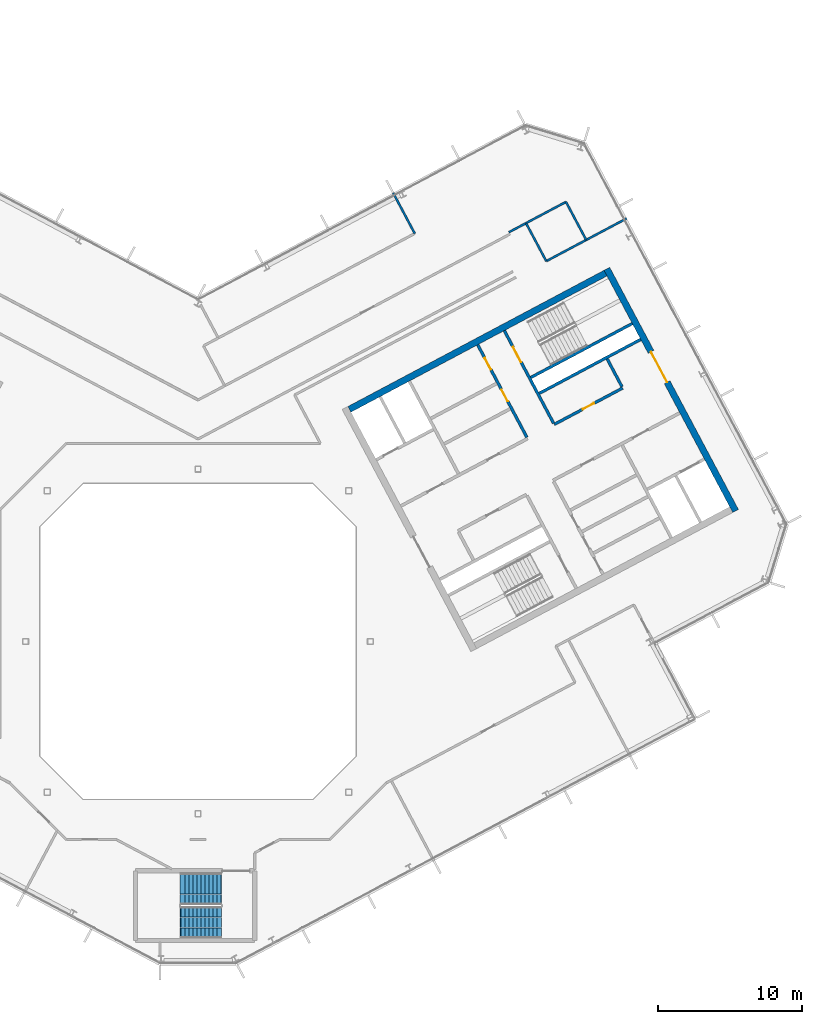
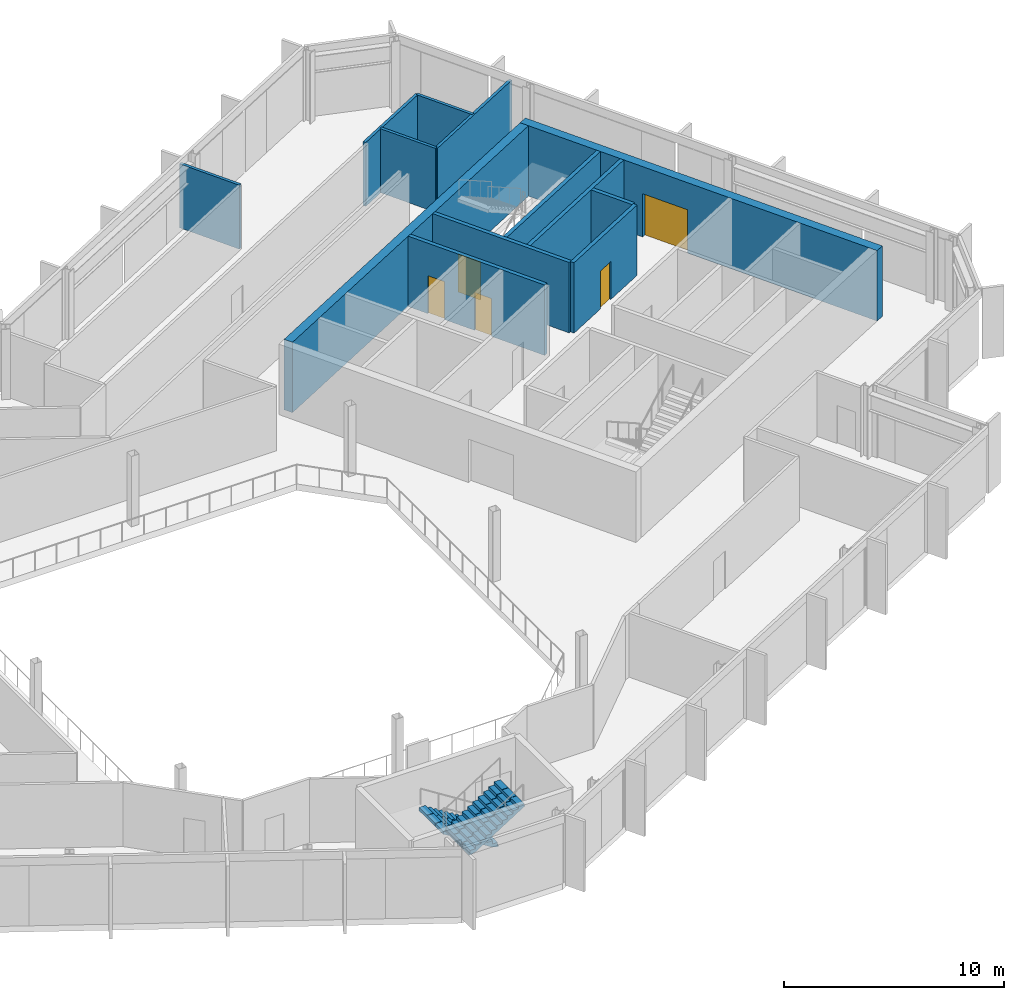
# One storey, part 16 of 25: 13 walls, 5 doors, 2 stair flights, 5 openings, 1 element without a shape of its own.
"""IFC4 building model written with IfcOpenShell, lengths in metres."""

from ifc_helpers import new_model, si_unit, direction, frame, frame_2d, origin, place, context, subcontext, project, spatial, polyline, rectangle, outline, extrude, material, layer, layer_set, type_object, element, fill, aggregate, save


model = new_model("IFC4")

# Units and contexts
model_context = context("Model", 3, precision=1e-05, world=origin(), true_north=direction((0.0, 1.0)))
body_context = subcontext(model_context, "Body", "Model", "MODEL_VIEW")
ifc_project = project(units=[si_unit("LENGTHUNIT", "METRE"), si_unit("AREAUNIT", "SQUARE_METRE"), si_unit("VOLUMEUNIT", "CUBIC_METRE"), si_unit("PLANEANGLEUNIT", "RADIAN"), si_unit("MASSUNIT", "GRAM", prefix="KILO")], contexts=[model_context])

# Site, building, storey
site_placement = place(None, origin())
site = spatial("IfcSite", under=ifc_project, at=site_placement, CompositionType="ELEMENT")
building_placement = place(site_placement, origin())
building = spatial("IfcBuilding", under=site, at=building_placement, Name="Cormorant Relay Tower", CompositionType="ELEMENT")
storey_placement = place(building_placement, frame((0.0, 0.0, 289.199951171875)))
storey = spatial("IfcBuildingStorey", under=building, at=storey_placement, Name="L65", CompositionType="ELEMENT", Elevation=289.199951171875)

# Wall, openings, doors
ifc_material_1 = material(Name="Concrete 50 MPa", Category="concrete")
ifc_layer_1 = layer(ifc_material_1, 0.199951171875)
ifc_layer_set_1 = layer_set([ifc_layer_1], Name="Core shaft wall 200")
wall_type_1 = type_object("IfcWallType", Name="Core shaft wall 200", PredefinedType="SHEAR", material=ifc_layer_set_1)
wall_1_placement = place(storey_placement, frame((22.90625, 14.218017578125, 0.0), z_axis=(0.0, 0.0, 1.0), x_axis=(-0.469480409012, 0.88294288918, 0.0)))
wall_1 = element("IfcWall", 1, at=wall_1_placement, inside=storey, type_object=wall_type_1, Name="L65 core B shaft wall", PredefinedType="SHEAR", context=body_context, shape_type="SweptSolid", body=[
    extrude(rectangle(XDim=7.300048828125, YDim=0.199951171875, at=frame_2d((3.64990234375, 0.0))), origin(), (0.0, 0.0, 1.0), 3.900146484375),
])
opening_1_placement = place(wall_1_placement, frame((2.85009765625, 0.0, 0.0)))
opening_1 = element("IfcOpeningElement", 2, at=opening_1_placement, cuts=wall_1, Name="Opening CDD-299", PredefinedType="OPENING", context=body_context, shape_type="SweptSolid", body=[
    extrude(rectangle(XDim=0.89990234375, YDim=2.10009765625, at=frame_2d((0.449951171875, 1.050048828125))), frame((0.0, 0.10986328125, 0.0), z_axis=(0.0, -1.0, 0.0), x_axis=(1.0, 0.0, 0.0)), (0.0, 0.0, 1.0), 0.219970703125),
])
opening_2_placement = place(wall_1_placement, frame((5.35009765625, 0.0, 0.0)))
opening_2 = element("IfcOpeningElement", 3, at=opening_2_placement, cuts=wall_1, Name="Opening CDD-333", PredefinedType="OPENING", context=body_context, shape_type="SweptSolid", body=[
    extrude(rectangle(XDim=0.89990234375, YDim=2.10009765625, at=frame_2d((0.449951171875, 1.050048828125))), frame((0.0, 0.10986328125, 0.0), z_axis=(0.0, -1.0, 0.0), x_axis=(1.0, 0.0, 0.0)), (0.0, 0.0, 1.0), 0.219970703125),
])
ifc_material_2 = material(Name="Steel fire door", Category="steel")
door_type_1 = type_object("IfcDoorType", Name="Core room door 900x2100", OperationType="SINGLE_SWING_LEFT", PredefinedType="DOOR", material=ifc_material_2)
door_1_placement = place(opening_1_placement, origin())
door_1 = element("IfcDoor", 4, at=door_1_placement, inside=storey, type_object=door_type_1, Name="Core room door 900x2100", OperationType="SINGLE_SWING_RIGHT", OverallHeight=2.10009765625, OverallWidth=0.89990234375, PredefinedType="DOOR", context=body_context, shape_type="SweptSolid", body=[
    extrude(rectangle(XDim=0.89990234375, YDim=2.10009765625, at=frame_2d((0.449951171875, 1.050048828125))), frame((0.0, 0.02490234375, 0.0), z_axis=(0.0, -1.0, 0.0), x_axis=(1.0, 0.0, 0.0)), (0.0, 0.0, 1.0), 0.050048828125),
])
fill(opening_1, door_1)
door_2_placement = place(opening_2_placement, origin())
door_2 = element("IfcDoor", 5, at=door_2_placement, inside=storey, type_object=door_type_1, Name="Core room door 900x2100", OperationType="SINGLE_SWING_LEFT", OverallHeight=2.10009765625, OverallWidth=0.89990234375, PredefinedType="DOOR", context=body_context, shape_type="SweptSolid", body=[
    extrude(rectangle(XDim=0.89990234375, YDim=2.10009765625, at=frame_2d((0.449951171875, 1.050048828125))), frame((0.0, 0.02490234375, 0.0), z_axis=(0.0, -1.0, 0.0), x_axis=(1.0, 0.0, 0.0)), (0.0, 0.0, 1.0), 0.050048828125),
])
fill(opening_2, door_2)

# Wall, opening, door
wall_2_placement = place(storey_placement, frame((24.760498046875, 15.2041015625, 0.0), z_axis=(0.0, 0.0, 1.0), x_axis=(-0.469494272526, 0.882935517501, 0.0)))
wall_2 = element("IfcWall", 6, at=wall_2_placement, inside=storey, type_object=wall_type_1, Name="L65 core B shaft wall", PredefinedType="SHEAR", context=body_context, shape_type="SweptSolid", body=[
    extrude(rectangle(XDim=7.2998046875, YDim=0.199951171875, at=frame_2d((3.64990234375, 0.0))), origin(), (0.0, 0.0, 1.0), 3.900146484375),
])
opening_3_placement = place(wall_2_placement, frame((4.800048828125, 0.0, 0.0)))
opening_3 = element("IfcOpeningElement", 7, at=opening_3_placement, cuts=wall_2, Name="Opening CDB-041", PredefinedType="OPENING", context=body_context, shape_type="SweptSolid", body=[
    extrude(rectangle(XDim=1.199951171875, YDim=2.10009765625, at=frame_2d((0.60009765625, 1.050048828125))), frame((0.0, 0.10986328125, 0.0), z_axis=(0.0, -1.0, 0.0), x_axis=(1.0, 0.0, 0.0)), (0.0, 0.0, 1.0), 0.219970703125),
])
ifc_material_3 = material(Name="Steel fire door", Category="steel")
door_type_2 = type_object("IfcDoorType", Name="Core stair door 1200x2100", OperationType="SINGLE_SWING_LEFT", PredefinedType="DOOR", material=ifc_material_3)
door_3_placement = place(opening_3_placement, frame((1.199951171875, 0.0, 0.0), z_axis=(0.0, 0.0, 1.0), x_axis=(-1.0, 0.0, 0.0)))
door_3 = element("IfcDoor", 8, at=door_3_placement, inside=storey, type_object=door_type_2, Name="Core stair door 1200x2100", OperationType="SINGLE_SWING_RIGHT", OverallHeight=2.10009765625, OverallWidth=1.199951171875, PredefinedType="DOOR", context=body_context, shape_type="SweptSolid", body=[
    extrude(rectangle(XDim=1.199951171875, YDim=2.10009765625, at=frame_2d((0.60009765625, 1.050048828125))), frame((0.0, 0.02490234375, 0.0), z_axis=(0.0, -1.0, 0.0), x_axis=(1.0, 0.0, 0.0)), (0.0, 0.0, 1.0), 0.050048828125),
])
fill(opening_3, door_3)

# Wall
wall_3_placement = place(storey_placement, frame((29.5283203125, 17.739013671875, 0.0), z_axis=(0.0, 0.0, 1.0), x_axis=(-0.469401318492, 0.882984938828, 0.0)))
element("IfcWall", 9, at=wall_3_placement, inside=storey, type_object=wall_type_1, Name="L65 core B shaft wall", PredefinedType="SHEAR", context=body_context, shape_type="SweptSolid", body=[
    extrude(rectangle(XDim=2.199951171875, YDim=0.199951171875, at=frame_2d((1.10009765625, 0.0))), origin(), (0.0, 0.0, 1.0), 3.900146484375),
])

# Wall, opening, door
wall_4_placement = place(storey_placement, frame((24.807373046875, 15.11572265625, 0.0), z_axis=(0.0, 0.0, 1.0), x_axis=(0.882942972946, 0.469480251476, 0.0)))
wall_4 = element("IfcWall", 10, at=wall_4_placement, inside=storey, type_object=wall_type_1, Name="L65 core B shaft wall", PredefinedType="SHEAR", context=body_context, shape_type="SweptSolid", body=[
    extrude(rectangle(XDim=5.39990234375, YDim=0.199951171875, at=frame_2d((2.699951171875, 0.0))), origin(), (0.0, 0.0, 1.0), 3.900146484375),
])
opening_4_placement = place(wall_4_placement, frame((2.25, 0.0, 0.0)))
opening_4 = element("IfcOpeningElement", 11, at=opening_4_placement, cuts=wall_4, Name="Opening CDD-261", PredefinedType="OPENING", context=body_context, shape_type="SweptSolid", body=[
    extrude(rectangle(XDim=0.89990234375, YDim=2.10009765625, at=frame_2d((0.449951171875, 1.050048828125))), frame((0.0, 0.10986328125, 0.0), z_axis=(0.0, -1.0, 0.0), x_axis=(1.0, 0.0, 0.0)), (0.0, 0.0, 1.0), 0.219970703125),
])
door_4_placement = place(opening_4_placement, origin())
door_4 = element("IfcDoor", 12, at=door_4_placement, inside=storey, type_object=door_type_1, Name="Core room door 900x2100", OperationType="SINGLE_SWING_LEFT", OverallHeight=2.10009765625, OverallWidth=0.89990234375, PredefinedType="DOOR", context=body_context, shape_type="SweptSolid", body=[
    extrude(rectangle(XDim=0.89990234375, YDim=2.10009765625, at=frame_2d((0.449951171875, 1.050048828125))), frame((0.0, 0.02490234375, 0.0), z_axis=(0.0, -1.0, 0.0), x_axis=(1.0, 0.0, 0.0)), (0.0, 0.0, 1.0), 0.050048828125),
])
fill(opening_4, door_4)

# Walls
wall_5_placement = place(storey_placement, frame((23.76904296875, 17.28173828125, 0.0), z_axis=(0.0, 0.0, 1.0), x_axis=(0.882940221191, 0.469485426614, 0.0)))
element("IfcWall", 13, at=wall_5_placement, inside=storey, type_object=wall_type_1, Name="L65 core B shaft wall", PredefinedType="SHEAR", context=body_context, shape_type="SweptSolid", body=[
    extrude(rectangle(XDim=8.0, YDim=0.199951171875, at=frame_2d((4.0, 0.0))), origin(), (0.0, 0.0, 1.0), 3.900146484375),
])
wall_6_placement = place(storey_placement, frame((23.18212890625, 18.385498046875, 0.0), z_axis=(0.0, 0.0, 1.0), x_axis=(0.88295287151, 0.469461634952, 0.0)))
element("IfcWall", 14, at=wall_6_placement, inside=storey, type_object=wall_type_1, Name="L65 core B shaft wall", PredefinedType="SHEAR", context=body_context, shape_type="SweptSolid", body=[
    extrude(rectangle(XDim=7.999755859375, YDim=0.199951171875, at=frame_2d((4.0, 0.0))), origin(), (0.0, 0.0, 1.0), 3.900146484375),
])

# Wall, opening, door
ifc_material_4 = material(Name="Concrete 50 MPa", Category="concrete")
ifc_layer_2 = layer(ifc_material_4, 0.449951171875)
ifc_layer_set_2 = layer_set([ifc_layer_2], Name="Core wall 450")
wall_type_2 = type_object("IfcWallType", Name="Core wall 450", PredefinedType="SHEAR", material=ifc_layer_set_2)
wall_7_placement = place(storey_placement, frame((37.439453125, 9.0908203125, 0.0), z_axis=(0.0, 0.0, 1.0), x_axis=(-0.469467968382, 0.882949504028, 0.0)))
wall_7 = element("IfcWall", 15, at=wall_7_placement, inside=storey, type_object=wall_type_2, Name="L65 core B wall", PredefinedType="SHEAR", context=body_context, shape_type="SweptSolid", body=[
    extrude(rectangle(XDim=19.099853515625, YDim=0.449951171875, at=frame_2d((9.5498046875, 0.0))), origin(), (0.0, 0.0, 1.0), 3.900146484375),
])
opening_5_placement = place(wall_7_placement, frame((10.14990234375, 0.0, 0.0)))
opening_5 = element("IfcOpeningElement", 16, at=opening_5_placement, cuts=wall_7, Name="Opening CDA-053", PredefinedType="OPENING", context=body_context, shape_type="SweptSolid", body=[
    extrude(rectangle(XDim=2.39990234375, YDim=2.39990234375, at=frame_2d((1.199951171875, 1.199951171875))), frame((0.0, 0.23486328125, 0.0), z_axis=(0.0, -1.0, 0.0), x_axis=(1.0, 0.0, 0.0)), (0.0, 0.0, 1.0), 0.469970703125),
])
ifc_material_5 = material(Name="Steel fire door", Category="steel")
door_type_3 = type_object("IfcDoorType", Name="Core lobby door 2400x2400", OperationType="DOUBLE_DOOR_SINGLE_SWING", PredefinedType="DOOR", material=ifc_material_5)
door_5_placement = place(opening_5_placement, origin())
door_5 = element("IfcDoor", 17, at=door_5_placement, inside=storey, type_object=door_type_3, Name="Core lobby door 2400x2400", OperationType="DOUBLE_DOOR_SINGLE_SWING", OverallHeight=2.39990234375, OverallWidth=2.39990234375, PredefinedType="DOOR", context=body_context, shape_type="SweptSolid", body=[
    extrude(rectangle(XDim=2.39990234375, YDim=2.39990234375, at=frame_2d((1.199951171875, 1.199951171875))), frame((0.0, 0.02490234375, 0.0), z_axis=(0.0, -1.0, 0.0), x_axis=(1.0, 0.0, 0.0)), (0.0, 0.0, 1.0), 0.050048828125),
])
fill(opening_5, door_5)

# Walls
wall_8_placement = place(storey_placement, frame((10.5439453125, 16.16748046875, 0.0), z_axis=(0.0, 0.0, 1.0), x_axis=(0.882947755831, 0.46947125628, 0.0)))
element("IfcWall", 18, at=wall_8_placement, inside=storey, type_object=wall_type_2, Name="L65 core B wall", PredefinedType="SHEAR", context=body_context, shape_type="SweptSolid", body=[
    extrude(rectangle(XDim=20.2001953125, YDim=0.449951171875, at=frame_2d((10.10009765625, 0.0))), origin(), (0.0, 0.0, 1.0), 3.900146484375),
])
ifc_material_6 = material(Name="Gypsum board fire partition")
ifc_layer_3 = layer(ifc_material_6, 0.14990234375)
ifc_layer_set_3 = layer_set([ifc_layer_3], Name="Corridor partition 150 EI 60")
wall_type_3 = type_object("IfcWallType", Name="Corridor partition 150 EI 60", PredefinedType="PARTITIONING", material=ifc_layer_set_3)
wall_9_placement = place(storey_placement, frame((22.85693359375, 29.114013671875, 0.0), z_axis=(0.0, 0.0, 1.0), x_axis=(0.469523155086, -0.882920158813, 0.0)))
element("IfcWall", 19, at=wall_9_placement, inside=storey, type_object=wall_type_3, Name="wall/L65/part/065", PredefinedType="PARTITIONING", context=body_context, shape_type="SweptSolid", body=[
    extrude(rectangle(XDim=2.975341796875, YDim=0.14990234375, at=frame_2d((1.48779296875, 0.0))), origin(), (0.0, 0.0, 1.0), 3.5400390625),
])
wall_10_placement = place(storey_placement, frame((24.25390625, 26.487060546875, 0.0), z_axis=(0.0, 0.0, 1.0), x_axis=(0.882975806835, 0.469418496167, 0.0)))
element("IfcWall", 20, at=wall_10_placement, inside=storey, type_object=wall_type_3, Name="wall/L65/part/066", PredefinedType="PARTITIONING", context=body_context, shape_type="SweptSolid", body=[
    extrude(rectangle(XDim=6.350341796875, YDim=0.14990234375, at=frame_2d((3.17529296875, 0.0))), origin(), (0.0, 0.0, 1.0), 3.5400390625),
])
ifc_material_7 = material(Name="Gypsum board partition")
ifc_layer_4 = layer(ifc_material_7, 0.14990234375)
ifc_layer_set_4 = layer_set([ifc_layer_4], Name="Tenant partition 150")
wall_type_4 = type_object("IfcWallType", Name="Tenant partition 150", PredefinedType="PARTITIONING", material=ifc_layer_set_4)
wall_11_placement = place(storey_placement, frame((15.094970703125, 28.412109375, 0.0), z_axis=(0.0, 0.0, 1.0), x_axis=(-0.469320691295, 0.883027796121, 0.0)))
element("IfcWall", 21, at=wall_11_placement, inside=storey, type_object=wall_type_4, Name="wall/L65/part/055", PredefinedType="PARTITIONING", context=body_context, shape_type="SweptSolid", body=[
    extrude(rectangle(XDim=3.2001953125, YDim=0.14990234375, at=frame_2d((1.60009765625, 0.0))), origin(), (0.0, 0.0, 1.0), 3.5400390625),
])
wall_12_placement = place(storey_placement, frame((27.034912109375, 27.966064453125, 0.0), z_axis=(0.0, 0.0, 1.0), x_axis=(-0.469341661158, 0.883016650523, 0.0)))
element("IfcWall", 22, at=wall_12_placement, inside=storey, type_object=wall_type_4, Name="wall/L65/part/067", PredefinedType="PARTITIONING", context=body_context, shape_type="SweptSolid", body=[
    extrude(rectangle(XDim=2.999755859375, YDim=0.14990234375, at=frame_2d((1.5, 0.0))), origin(), (0.0, 0.0, 1.0), 3.5400390625),
])
wall_13_placement = place(storey_placement, frame((25.626953125, 30.614990234375, 0.0), z_axis=(0.0, 0.0, 1.0), x_axis=(-0.882933661484, -0.469497762954, 0.0)))
element("IfcWall", 23, at=wall_13_placement, inside=storey, type_object=wall_type_4, Name="wall/L65/part/068", PredefinedType="PARTITIONING", context=body_context, shape_type="SweptSolid", body=[
    extrude(rectangle(XDim=4.49853515625, YDim=0.14990234375, at=frame_2d((2.249267578125, 0.0))), origin(), (0.0, 0.0, 1.0), 3.5400390625),
])

# Stair, stair flights
ifc_material_8 = material(Name="Concrete 40 MPa", Category="concrete")
stair_type = type_object("IfcStairType", Name="Remote exit stair 2200", PredefinedType="HALF_TURN_STAIR", material=ifc_material_8)
stair_placement = place(storey_placement, origin())
stair = element("IfcStair", 24, at=stair_placement, inside=storey, type_object=stair_type, Name="L65 Stair", PredefinedType="HALF_TURN_STAIR")
ifc_material_9 = material(Name="Concrete 40 MPa", Category="concrete")
stair_flight_type = type_object("IfcStairFlightType", Name="Remote exit stair flight 2200", PredefinedType="STRAIGHT", material=ifc_material_9)
stair_flight_1_placement = place(storey_placement, frame((1.60009765625, -17.22509765625, 0.0), z_axis=(0.0, 0.0, 1.0), x_axis=(-1.0, 0.0, 0.0)))
stair_flight_1 = element("IfcStairFlight", 25, at=stair_flight_1_placement, type_object=stair_flight_type, Name="RK1 flight 1", NumberOfRisers=11, NumberOfTreads=10, PredefinedType="STRAIGHT", RiserHeight=0.177272727, TreadLength=0.28, context=body_context, shape_type="SweptSolid", body=[
    extrude(outline(polyline([(-0.050048828125, -0.080078125), (-0.050048828125, 0.0), (0.0, 0.0), (0.0, 0.17724609375), (0.280029296875, 0.17724609375), (0.280029296875, 0.3544921875), (0.56005859375, 0.3544921875), (0.56005859375, 0.53173828125), (0.840087890625, 0.53173828125), (0.840087890625, 0.708984375), (1.1201171875, 0.708984375), (1.1201171875, 0.886474609375), (1.39990234375, 0.886474609375), (1.39990234375, 1.063720703125), (1.679931640625, 1.063720703125), (1.679931640625, 1.240966796875), (1.9599609375, 1.240966796875), (1.9599609375, 1.418212890625), (2.239990234375, 1.418212890625), (2.239990234375, 1.595458984375), (2.52001953125, 1.595458984375), (2.52001953125, 1.772705078125), (2.800048828125, 1.772705078125), (2.85009765625, 1.772705078125), (2.85009765625, 1.59521484375), (2.800048828125, 1.59521484375), (0.2802734375, 0.0), (-0.050048828125, -0.080078125)])), frame((0.0, 1.10009765625, 0.0), z_axis=(0.0, -1.0, 0.0), x_axis=(1.0, 0.0, 0.0)), (0.0, 0.0, 1.0), 0.719970703125),
    extrude(outline(polyline([(-0.050048828125, -0.080078125), (-0.050048828125, 0.0), (0.0, 0.0), (0.0, 0.17724609375), (0.280029296875, 0.17724609375), (0.280029296875, 0.3544921875), (0.56005859375, 0.3544921875), (0.56005859375, 0.53173828125), (0.840087890625, 0.53173828125), (0.840087890625, 0.708984375), (1.1201171875, 0.708984375), (1.1201171875, 0.886474609375), (1.39990234375, 0.886474609375), (1.39990234375, 1.063720703125), (1.679931640625, 1.063720703125), (1.679931640625, 1.240966796875), (1.9599609375, 1.240966796875), (1.9599609375, 1.418212890625), (2.239990234375, 1.418212890625), (2.239990234375, 1.595458984375), (2.52001953125, 1.595458984375), (2.52001953125, 1.772705078125), (2.800048828125, 1.772705078125), (2.85009765625, 1.772705078125), (2.85009765625, 1.59521484375), (2.800048828125, 1.59521484375), (0.2802734375, 0.0), (-0.050048828125, -0.080078125)])), frame((0.0, 0.360107421875, 0.0), z_axis=(0.0, -1.0, 0.0), x_axis=(1.0, 0.0, 0.0)), (0.0, 0.0, 1.0), 0.719970703125),
    extrude(outline(polyline([(-0.050048828125, -0.080078125), (-0.050048828125, 0.0), (0.0, 0.0), (0.0, 0.17724609375), (0.280029296875, 0.17724609375), (0.280029296875, 0.3544921875), (0.56005859375, 0.3544921875), (0.56005859375, 0.53173828125), (0.840087890625, 0.53173828125), (0.840087890625, 0.708984375), (1.1201171875, 0.708984375), (1.1201171875, 0.886474609375), (1.39990234375, 0.886474609375), (1.39990234375, 1.063720703125), (1.679931640625, 1.063720703125), (1.679931640625, 1.240966796875), (1.9599609375, 1.240966796875), (1.9599609375, 1.418212890625), (2.239990234375, 1.418212890625), (2.239990234375, 1.595458984375), (2.52001953125, 1.595458984375), (2.52001953125, 1.772705078125), (2.800048828125, 1.772705078125), (2.85009765625, 1.772705078125), (2.85009765625, 1.59521484375), (2.800048828125, 1.59521484375), (0.2802734375, 0.0), (-0.050048828125, -0.080078125)])), frame((0.0, -0.3798828125, 0.0), z_axis=(0.0, -1.0, 0.0), x_axis=(1.0, 0.0, 0.0)), (0.0, 0.0, 1.0), 0.719970703125),
])
stair_flight_2_placement = place(storey_placement, frame((-1.199951171875, -19.574951171875, 1.949951171875), z_axis=(0.0, 0.0, 1.0), x_axis=(1.0, 0.0, 0.0)))
stair_flight_2 = element("IfcStairFlight", 26, at=stair_flight_2_placement, type_object=stair_flight_type, Name="RK1 flight 2", NumberOfRisers=11, NumberOfTreads=10, PredefinedType="STRAIGHT", RiserHeight=0.177272727, TreadLength=0.28, context=body_context, shape_type="SweptSolid", body=[
    extrude(outline(polyline([(-0.050048828125, -0.080078125), (-0.050048828125, 0.0), (0.0, 0.0), (0.0, 0.17724609375), (0.280029296875, 0.17724609375), (0.280029296875, 0.3544921875), (0.56005859375, 0.3544921875), (0.56005859375, 0.53173828125), (0.840087890625, 0.53173828125), (0.840087890625, 0.708984375), (1.1201171875, 0.708984375), (1.1201171875, 0.886474609375), (1.39990234375, 0.886474609375), (1.39990234375, 1.063720703125), (1.679931640625, 1.063720703125), (1.679931640625, 1.240966796875), (1.9599609375, 1.240966796875), (1.9599609375, 1.418212890625), (2.239990234375, 1.418212890625), (2.239990234375, 1.595458984375), (2.52001953125, 1.595458984375), (2.52001953125, 1.772705078125), (2.800048828125, 1.772705078125), (2.85009765625, 1.772705078125), (2.85009765625, 1.59521484375), (2.800048828125, 1.59521484375), (0.2802734375, 0.0), (-0.050048828125, -0.080078125)])), frame((0.0, 1.10009765625, 0.0), z_axis=(0.0, -1.0, 0.0), x_axis=(1.0, 0.0, 0.0)), (0.0, 0.0, 1.0), 0.719970703125),
    extrude(outline(polyline([(-0.050048828125, -0.080078125), (-0.050048828125, 0.0), (0.0, 0.0), (0.0, 0.17724609375), (0.280029296875, 0.17724609375), (0.280029296875, 0.3544921875), (0.56005859375, 0.3544921875), (0.56005859375, 0.53173828125), (0.840087890625, 0.53173828125), (0.840087890625, 0.708984375), (1.1201171875, 0.708984375), (1.1201171875, 0.886474609375), (1.39990234375, 0.886474609375), (1.39990234375, 1.063720703125), (1.679931640625, 1.063720703125), (1.679931640625, 1.240966796875), (1.9599609375, 1.240966796875), (1.9599609375, 1.418212890625), (2.239990234375, 1.418212890625), (2.239990234375, 1.595458984375), (2.52001953125, 1.595458984375), (2.52001953125, 1.772705078125), (2.800048828125, 1.772705078125), (2.85009765625, 1.772705078125), (2.85009765625, 1.59521484375), (2.800048828125, 1.59521484375), (0.2802734375, 0.0), (-0.050048828125, -0.080078125)])), frame((0.0, 0.360107421875, 0.0), z_axis=(0.0, -1.0, 0.0), x_axis=(1.0, 0.0, 0.0)), (0.0, 0.0, 1.0), 0.719970703125),
    extrude(outline(polyline([(-0.050048828125, -0.080078125), (-0.050048828125, 0.0), (0.0, 0.0), (0.0, 0.17724609375), (0.280029296875, 0.17724609375), (0.280029296875, 0.3544921875), (0.56005859375, 0.3544921875), (0.56005859375, 0.53173828125), (0.840087890625, 0.53173828125), (0.840087890625, 0.708984375), (1.1201171875, 0.708984375), (1.1201171875, 0.886474609375), (1.39990234375, 0.886474609375), (1.39990234375, 1.063720703125), (1.679931640625, 1.063720703125), (1.679931640625, 1.240966796875), (1.9599609375, 1.240966796875), (1.9599609375, 1.418212890625), (2.239990234375, 1.418212890625), (2.239990234375, 1.595458984375), (2.52001953125, 1.595458984375), (2.52001953125, 1.772705078125), (2.800048828125, 1.772705078125), (2.85009765625, 1.772705078125), (2.85009765625, 1.59521484375), (2.800048828125, 1.59521484375), (0.2802734375, 0.0), (-0.050048828125, -0.080078125)])), frame((0.0, -0.3798828125, 0.0), z_axis=(0.0, -1.0, 0.0), x_axis=(1.0, 0.0, 0.0)), (0.0, 0.0, 1.0), 0.719970703125),
])
aggregate(stair, [stair_flight_1, stair_flight_2])

save(model, "model.ifc")
